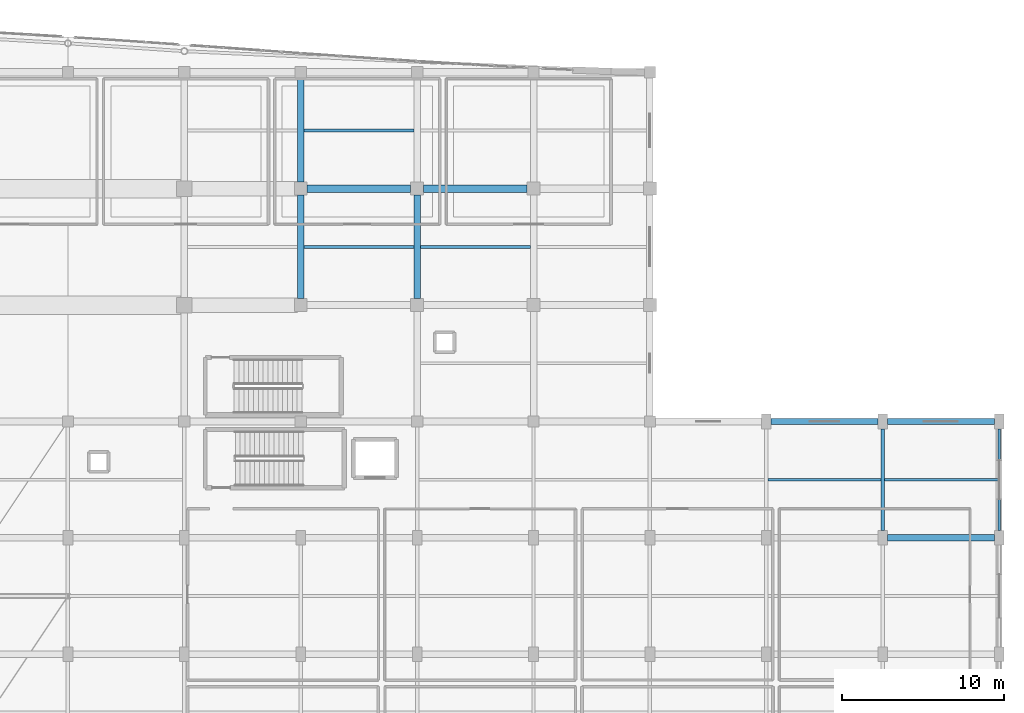
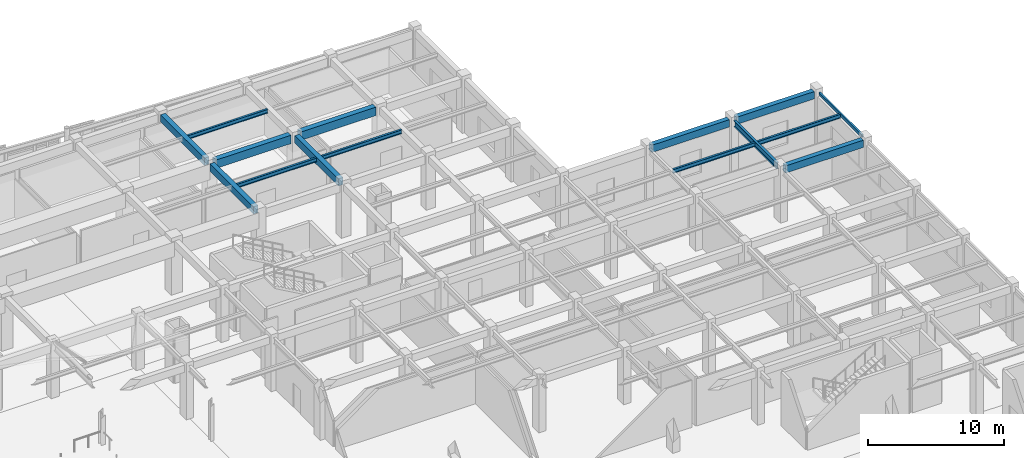
# One storey, part 60 of 117: 15 beams.
"""IFC4 building model written with IfcOpenShell, lengths in metres."""

import ifcopenshell
import ifcopenshell.guid

model = None  # the IFC model being written
_history = None  # IfcOwnerHistory: only IFC2X3 demands one
_inside = {}  # id of a spatial element -> (the spatial element, [elements in it])
_under = {}  # id of a project, library or spatial element -> (it, [spatial elements below it])
_declared = {}  # id of a project -> (the project, [libraries it declares])
_typed = {}  # id of a type object -> (the type object, [elements of that type])
_made_of = {}  # id of a material, layer set ... -> (it, [elements and type objects made of it])


def new_model(schema):
    """Start an empty IFC model of exactly this schema.

    Asked for "IFC4X3", IfcOpenShell would pick the latest addendum, in which some entities
    have other attributes; the version numbers below select the first issue.
    IFC2X3 requires an IfcOwnerHistory on every rooted entity: one is made here for all.
    """
    global model, _history
    if schema == "IFC4X3":
        model = ifcopenshell.file(schema_version=(4, 3, 0, 0))
    else:
        model = ifcopenshell.file(schema=schema)
    _inside.clear()
    _under.clear()
    _declared.clear()
    _typed.clear()
    _made_of.clear()
    _history = None
    if model.schema == "IFC2X3":
        org = make("IfcOrganization", Name="unknown")
        user = make(
            "IfcPersonAndOrganization",
            ThePerson=make("IfcPerson", FamilyName="unknown"),
            TheOrganization=org,
        )
        app = make(
            "IfcApplication",
            ApplicationDeveloper=org,
            Version="unknown",
            ApplicationFullName="unknown",
            ApplicationIdentifier="unknown",
        )
        _history = make(
            "IfcOwnerHistory",
            OwningUser=user,
            OwningApplication=app,
            ChangeAction="ADDED",
            CreationDate=0,
        )
    return model


def make(cls, **values):
    """One entity of the class cls with the attributes given. An attribute that is None is left unset."""
    return model.create_entity(
        cls, **{name: value for name, value in values.items() if value is not None}
    )


def rooted(cls, **values):
    """An entity with a GlobalId (a new one), such as an element, a storey or a relation."""
    return make(cls, GlobalId=ifcopenshell.guid.new(), OwnerHistory=_history, **values)


def si_unit(unit_type, name, prefix=None):
    """IfcSIUnit, for example si_unit("LENGTHUNIT", "METRE", prefix="MILLI")."""
    return make("IfcSIUnit", UnitType=unit_type, Prefix=prefix, Name=name)


def assignment(units):
    """IfcUnitAssignment: the units of a project."""
    return None if units is None else make("IfcUnitAssignment", Units=units)


def point(xyz):
    """IfcCartesianPoint."""
    return None if xyz is None else make("IfcCartesianPoint", Coordinates=xyz)


def direction(xyz):
    """IfcDirection."""
    return None if xyz is None else make("IfcDirection", DirectionRatios=xyz)


def frame(location, z_axis=None, x_axis=None):
    """IfcAxis2Placement3D, a coordinate frame: its origin and axes. An axis left out is left unset."""
    return make(
        "IfcAxis2Placement3D",
        Location=point(location),
        Axis=direction(z_axis),
        RefDirection=direction(x_axis),
    )


def frame_2d(location, x_axis=None):
    """IfcAxis2Placement2D, a coordinate frame in the plane: its origin and x axis."""
    return make(
        "IfcAxis2Placement2D", Location=point(location), RefDirection=direction(x_axis)
    )


def origin():
    """The frame at (0, 0, 0) with its axes left unset."""
    return frame((0.0, 0.0, 0.0))


def origin_2d():
    """The frame at (0, 0) in the plane with its x axis left unset."""
    return frame_2d((0.0, 0.0))


def place(relative_to, where):
    """IfcLocalPlacement: puts the frame where relative to a parent placement (None: the world)."""
    return make(
        "IfcLocalPlacement", PlacementRelTo=relative_to, RelativePlacement=where
    )


def context(
    kind, dimensions, precision=None, world=None, true_north=None, identifier=None
):
    """IfcGeometricRepresentationContext, for example the 3D "Model" context."""
    return make(
        "IfcGeometricRepresentationContext",
        ContextIdentifier=identifier,
        ContextType=kind,
        CoordinateSpaceDimension=dimensions,
        Precision=precision,
        WorldCoordinateSystem=world,
        TrueNorth=true_north,
    )


def subcontext(parent, identifier, kind, view, scale=None):
    """IfcGeometricRepresentationSubContext, for example "Body" below "Model"."""
    return make(
        "IfcGeometricRepresentationSubContext",
        ContextIdentifier=identifier,
        ContextType=kind,
        ParentContext=parent,
        TargetScale=scale,
        TargetView=view,
    )


def project(units=None, contexts=None):
    """IfcProject with its units and contexts."""
    return rooted(
        "IfcProject",
        Name="project",
        RepresentationContexts=contexts,
        UnitsInContext=assignment(units),
    )


def spatial(cls, under=None, at=None, **own):
    """A site, building, storey or space (cls), placed at a placement, below another one or the project."""
    s = rooted(cls, ObjectPlacement=at, **own)
    if under is not None:
        _under.setdefault(under.id(), (under, []))[1].append(s)
    return s


def profile(cls, at=None, kind="AREA", **sizes):
    """A parametric profile (cls). Its sizes go by their IFC names, for example OverallWidth=200.0."""
    return make(cls, ProfileType=kind, Position=at, **sizes)


def rectangle(**sizes):
    """IfcRectangleProfileDef."""
    return profile("IfcRectangleProfileDef", **sizes)


def hollow_rectangle(**sizes):
    """IfcRectangleHollowProfileDef."""
    return profile("IfcRectangleHollowProfileDef", **sizes)


def i_section(**sizes):
    """IfcIShapeProfileDef."""
    return profile("IfcIShapeProfileDef", **sizes)


def extrude(swept, where, along, depth):
    """IfcExtrudedAreaSolid: the profile swept, set in the frame where, extruded along a direction by depth."""
    return make(
        "IfcExtrudedAreaSolid",
        SweptArea=swept,
        Position=where,
        ExtrudedDirection=direction(along),
        Depth=depth,
    )


def shape(context_of_items, identifier, shape_type, items):
    """IfcShapeRepresentation: the items that make up one representation, for example the "Body"."""
    return make(
        "IfcShapeRepresentation",
        ContextOfItems=context_of_items,
        RepresentationIdentifier=identifier,
        RepresentationType=shape_type,
        Items=items,
    )


def material(Name=None, Category=None):
    """IfcMaterial."""
    return make("IfcMaterial", Name=Name, Category=Category)


def material_profile(
    of_material, cross_section, Name=None, Category=None, Priority=None
):
    """IfcMaterialProfile: a cross section and its material."""
    return make(
        "IfcMaterialProfile",
        Name=Name,
        Material=of_material,
        Profile=cross_section,
        Priority=Priority,
        Category=Category,
    )


def profile_set(profiles, Name=None, composite=None):
    """IfcMaterialProfileSet."""
    return make(
        "IfcMaterialProfileSet",
        Name=Name,
        MaterialProfiles=profiles,
        CompositeProfile=composite,
    )


def made_of(thing, what):
    """Note that an element or type object is made of a material, layer set ...; save() writes the relation."""
    if what is not None:
        _made_of.setdefault(what.id(), (what, []))[1].append(thing)
    return thing


def type_object(cls, material=None, **own):
    """A type object (cls), such as IfcWallType, which elements share."""
    return made_of(rooted(cls, **own), material)


def element(
    cls,
    number,
    at=None,
    inside=None,
    cuts=None,
    type_object=None,
    material=None,
    context=None,
    identifier="Body",
    shape_type=None,
    held_by="IfcProductDefinitionShape",
    body=None,
    shapes=None,
    **own,
):
    """One element of the class cls, such as IfcWall. Its Tag is "e" and its number.

    at: its placement. inside: the storey or other place that contains it. cuts: it is an
    opening in that element (IfcRelVoidsElement). A single representation is given by context,
    identifier, shape_type and body (its items); several are given by shapes. held_by: the class
    of the entity that holds the representations. save() writes the other relations.
    """
    e = rooted(cls, Tag="e%d" % number, ObjectPlacement=at, **own)
    if body is not None:
        shapes = [shape(context, identifier, shape_type, body)]
    if shapes is not None:
        e.Representation = make(held_by, Representations=shapes)
    if inside is not None:
        _inside.setdefault(inside.id(), (inside, []))[1].append(e)
    if cuts is not None:
        rooted(
            "IfcRelVoidsElement", RelatingBuildingElement=cuts, RelatedOpeningElement=e
        )
    if type_object is not None:
        _typed.setdefault(type_object.id(), (type_object, []))[1].append(e)
    return made_of(e, material)


def aggregate(whole, parts):
    """IfcRelAggregates: a whole, such as a stair, and the parts it consists of."""
    return rooted("IfcRelAggregates", RelatingObject=whole, RelatedObjects=parts)


def save(model, path):
    """Write the relations noted so far, then the file.

    IfcRelAggregates (storeys below a building ...), IfcRelContainedInSpatialStructure (elements
    in a storey), IfcRelDefinesByType, IfcRelAssociatesMaterial and IfcRelDeclares: one each for
    every whole, place, type object, material and project.
    """
    for whole, parts in _under.values():
        aggregate(whole, parts)
    for where, things in _inside.values():
        rooted(
            "IfcRelContainedInSpatialStructure",
            RelatedElements=things,
            RelatingStructure=where,
        )
    for kind, things in _typed.values():
        rooted("IfcRelDefinesByType", RelatedObjects=things, RelatingType=kind)
    for what, things in _made_of.values():
        rooted("IfcRelAssociatesMaterial", RelatedObjects=things, RelatingMaterial=what)
    for by, libraries in _declared.values():
        rooted("IfcRelDeclares", RelatingContext=by, RelatedDefinitions=libraries)
    model.write(path)


model = new_model("IFC4")

# Units and contexts
model_context = context("Model", 3, precision=1e-05, world=origin(), true_north=direction((0.0, 1.0)))
body_context = subcontext(model_context, "Body", "Model", "MODEL_VIEW")
ifc_project = project(units=[si_unit("LENGTHUNIT", "METRE"), si_unit("AREAUNIT", "SQUARE_METRE"), si_unit("VOLUMEUNIT", "CUBIC_METRE"), si_unit("PLANEANGLEUNIT", "RADIAN"), si_unit("MASSUNIT", "GRAM", prefix="KILO")], contexts=[model_context])

# Site, building, storey
site_placement = place(None, origin())
site = spatial("IfcSite", under=ifc_project, at=site_placement, CompositionType="ELEMENT")
building_placement = place(site_placement, origin())
building = spatial("IfcBuilding", under=site, at=building_placement, Name="Carrowvane Square Congress Hotel", CompositionType="ELEMENT")
storey_placement = place(building_placement, frame((0.0, 0.0, 5.39990234375)))
storey = spatial("IfcBuildingStorey", under=building, at=storey_placement, Name="L01", CompositionType="ELEMENT", Elevation=5.39990234375)

# Beams
ifc_material_1 = material(Name="Concrete C35/45", Category="concrete")
ifc_material_profile_1 = material_profile(ifc_material_1, rectangle(XDim=0.39990234375, YDim=0.64990234375, at=origin_2d()), Name="RC 400x650")
ifc_profile_set_1 = profile_set([ifc_material_profile_1], Name="Concrete C35/45")
beam_type_1 = type_object("IfcBeamType", Name="BM-RC-400x650", PredefinedType="BEAM", material=ifc_profile_set_1)
beam_1_placement = place(storey_placement, frame((177.5, 84.60009765625, 4.455078125), z_axis=(1.0, 0.0, 0.0), x_axis=(0.0, 1.0, 0.0)))
element("IfcBeam", 1, at=beam_1_placement, inside=storey, type_object=beam_type_1, Name="L02 girder M/24-25", PredefinedType="BEAM", context=body_context, shape_type="SweptSolid", body=[
    extrude(rectangle(XDim=0.39990234375, YDim=0.64990234375, at=origin_2d()), origin(), (0.0, 0.0, 1.0), 6.60009765625),
])
beam_2_placement = place(storey_placement, frame((170.300048828125, 91.800048828125, 4.455078125), z_axis=(1.0, 0.0, 0.0), x_axis=(0.0, 1.0, 0.0)))
element("IfcBeam", 2, at=beam_2_placement, inside=storey, type_object=beam_type_1, Name="L02 girder N/23-24", PredefinedType="BEAM", context=body_context, shape_type="SweptSolid", body=[
    extrude(rectangle(XDim=0.39990234375, YDim=0.64990234375, at=origin_2d()), origin(), (0.0, 0.0, 1.0), 6.599853515625),
])
beam_3_placement = place(storey_placement, frame((177.5, 91.800048828125, 4.455078125), z_axis=(1.0, 0.0, 0.0), x_axis=(0.0, 1.0, 0.0)))
element("IfcBeam", 3, at=beam_3_placement, inside=storey, type_object=beam_type_1, Name="L02 girder N/24-25", PredefinedType="BEAM", context=body_context, shape_type="SweptSolid", body=[
    extrude(rectangle(XDim=0.39990234375, YDim=0.64990234375, at=origin_2d()), origin(), (0.0, 0.0, 1.0), 6.60009765625),
])
beam_4_placement = place(storey_placement, frame((141.199951171875, 99.39990234375, 4.455078125), z_axis=(0.0, 1.0, 0.0), x_axis=(-1.0, 0.0, 0.0)))
element("IfcBeam", 4, at=beam_4_placement, inside=storey, type_object=beam_type_1, Name="L02 girder 19/P-Q", PredefinedType="BEAM", context=body_context, shape_type="SweptSolid", body=[
    extrude(rectangle(XDim=0.39990234375, YDim=0.64990234375, at=origin_2d()), origin(), (0.0, 0.0, 1.0), 6.400146484375),
])
beam_5_placement = place(storey_placement, frame((141.199951171875, 106.60009765625, 4.455078125), z_axis=(0.0, 1.0, 0.0), x_axis=(-1.0, 0.0, 0.0)))
element("IfcBeam", 5, at=beam_5_placement, inside=storey, type_object=beam_type_1, Name="L02 girder 19/Q-R", PredefinedType="BEAM", context=body_context, shape_type="SweptSolid", body=[
    extrude(rectangle(XDim=0.39990234375, YDim=0.64990234375, at=origin_2d()), origin(), (0.0, 0.0, 1.0), 6.449951171875),
])
beam_6_placement = place(storey_placement, frame((148.39990234375, 99.39990234375, 4.455078125), z_axis=(0.0, 1.0, 0.0), x_axis=(-1.0, 0.0, 0.0)))
element("IfcBeam", 6, at=beam_6_placement, inside=storey, type_object=beam_type_1, Name="L02 girder 20/P-Q", PredefinedType="BEAM", context=body_context, shape_type="SweptSolid", body=[
    extrude(rectangle(XDim=0.39990234375, YDim=0.64990234375, at=origin_2d()), origin(), (0.0, 0.0, 1.0), 6.400146484375),
])
ifc_material_2 = material(Name="Concrete C35/45", Category="concrete")
ifc_material_profile_2 = material_profile(ifc_material_2, rectangle(XDim=0.449951171875, YDim=0.75, at=origin_2d()), Name="RC 450x750")
ifc_profile_set_2 = profile_set([ifc_material_profile_2], Name="Concrete C35/45")
beam_type_2 = type_object("IfcBeamType", Name="BM-RC-450x750", PredefinedType="USERDEFINED", material=ifc_profile_set_2)
for number, where, z_axis, x_axis, name in (
    (7, (141.60009765625, 106.199951171875, 4.405029296875), (1.0, 0.0, 0.0), (0.0, 1.0, 0.0), "L02 girder Q/19-20"),
    (8, (148.800048828125, 106.199951171875, 4.405029296875), (1.0, 0.0, 0.0), (0.0, 1.0, 0.0), "L02 girder Q/20-21"),
):
    element("IfcBeam", number, at=place(storey_placement, frame(where, z_axis=z_axis, x_axis=x_axis)), inside=storey, type_object=beam_type_2, Name=name, ObjectType="GIRDER", PredefinedType="USERDEFINED", context=body_context, shape_type="SweptSolid", body=[
        extrude(rectangle(XDim=0.449951171875, YDim=0.75, at=origin_2d()), origin(), (0.0, 0.0, 1.0), 6.39990234375),
    ])
ifc_material_3 = material(Name="Steel S355", Category="steel")
ifc_material_profile_3 = material_profile(ifc_material_3, hollow_rectangle(XDim=0.14990234375, YDim=0.25, WallThickness=0.012451171875, at=origin_2d()), Name="RHS 250x150x12.5")
ifc_profile_set_3 = profile_set([ifc_material_profile_3], Name="Steel S355")
beam_type_3 = type_object("IfcBeamType", Name="BM-ST-RHS250", PredefinedType="SPANDREL", material=ifc_profile_set_3)
beam_7_placement = place(storey_placement, frame((184.39990234375, 85.050048828125, 4.655029296875), z_axis=(0.0, 1.0, 0.0), x_axis=(-1.0, 0.0, 0.0)))
element("IfcBeam", 9, at=beam_7_placement, inside=storey, type_object=beam_type_3, Name="L02 girder 25/M-N", PredefinedType="SPANDREL", context=body_context, shape_type="SweptSolid", body=[
    extrude(hollow_rectangle(XDim=0.14990234375, YDim=0.25, WallThickness=0.012451171875, at=origin_2d()), origin(), (0.0, 0.0, 1.0), 6.300048828125),
])
ifc_material_4 = material(Name="Steel S355", Category="steel")
ifc_material_profile_4 = material_profile(ifc_material_4, i_section(OverallWidth=0.172119140625, OverallDepth=0.35791015625, WebThickness=0.008056640625, FlangeThickness=0.012939453125, FilletRadius=0.01025390625, at=origin_2d()), Name="UKB 356x171x57")
ifc_profile_set_4 = profile_set([ifc_material_profile_4], Name="Steel S355")
beam_type_4 = type_object("IfcBeamType", Name="BM-ST-UKB356", PredefinedType="JOIST", material=ifc_profile_set_4)
for number, where, z_axis, x_axis, name in (
    (10, (141.39990234375, 102.60009765625, 4.60107421875), (1.0, 0.0, 0.0), (0.0, 1.0, 0.0), "L02 secondary joist 19-20"),
    (11, (141.39990234375, 109.800048828125, 4.60107421875), (1.0, 0.0, 0.0), (0.0, 1.0, 0.0), "L02 secondary joist 19-20"),
):
    element("IfcBeam", number, at=place(storey_placement, frame(where, z_axis=z_axis, x_axis=x_axis)), inside=storey, type_object=beam_type_4, Name=name, PredefinedType="JOIST", context=body_context, shape_type="SweptSolid", body=[
        extrude(i_section(OverallWidth=0.172119140625, OverallDepth=0.35791015625, WebThickness=0.008056640625, FlangeThickness=0.012939453125, FilletRadius=0.01025390625, at=origin_2d()), origin(), (0.0, 0.0, 1.0), 6.800048828125),
    ])
beam_8_placement = place(storey_placement, frame((148.60009765625, 102.60009765625, 4.60107421875), z_axis=(1.0, 0.0, 0.0), x_axis=(0.0, 1.0, 0.0)))
element("IfcBeam", 12, at=beam_8_placement, inside=storey, type_object=beam_type_4, Name="L02 secondary joist 20-21", PredefinedType="JOIST", context=body_context, shape_type="SweptSolid", body=[
    extrude(i_section(OverallWidth=0.172119140625, OverallDepth=0.35791015625, WebThickness=0.008056640625, FlangeThickness=0.012939453125, FilletRadius=0.01025390625, at=origin_2d()), origin(), (0.0, 0.0, 1.0), 6.7998046875),
])
beam_9_placement = place(storey_placement, frame((170.10498046875, 88.199951171875, 4.60107421875), z_axis=(1.0, 0.0, 0.0), x_axis=(0.0, 1.0, 0.0)))
element("IfcBeam", 13, at=beam_9_placement, inside=storey, type_object=beam_type_4, Name="L02 secondary joist 23-24", PredefinedType="JOIST", context=body_context, shape_type="SweptSolid", body=[
    extrude(i_section(OverallWidth=0.172119140625, OverallDepth=0.35791015625, WebThickness=0.008056640625, FlangeThickness=0.012939453125, FilletRadius=0.01025390625, at=origin_2d()), origin(), (0.0, 0.0, 1.0), 6.989990234375),
])
beam_10_placement = place(storey_placement, frame((177.304931640625, 88.199951171875, 4.60107421875), z_axis=(1.0, 0.0, 0.0), x_axis=(0.0, 1.0, 0.0)))
element("IfcBeam", 14, at=beam_10_placement, inside=storey, type_object=beam_type_4, Name="L02 secondary joist 24-25", PredefinedType="JOIST", context=body_context, shape_type="SweptSolid", body=[
    extrude(i_section(OverallWidth=0.172119140625, OverallDepth=0.35791015625, WebThickness=0.008056640625, FlangeThickness=0.012939453125, FilletRadius=0.01025390625, at=origin_2d()), origin(), (0.0, 0.0, 1.0), 7.02001953125),
])
ifc_material_5 = material(Name="Steel S355", Category="steel")
ifc_material_profile_5 = material_profile(ifc_material_5, i_section(OverallWidth=0.2099609375, OverallDepth=0.53662109375, WebThickness=0.0107421875, FlangeThickness=0.017333984375, FilletRadius=0.0126953125, at=origin_2d()), Name="UKB 533x210x101")
ifc_profile_set_5 = profile_set([ifc_material_profile_5], Name="Steel S355")
beam_type_5 = type_object("IfcBeamType", Name="BM-ST-UKB533", PredefinedType="USERDEFINED", material=ifc_profile_set_5)
beam_11_placement = place(storey_placement, frame((177.199951171875, 85.050048828125, 4.51171875), z_axis=(0.0, 1.0, 0.0), x_axis=(-1.0, 0.0, 0.0)))
element("IfcBeam", 15, at=beam_11_placement, inside=storey, type_object=beam_type_5, Name="L02 girder 24/M-N", ObjectType="GIRDER", PredefinedType="USERDEFINED", context=body_context, shape_type="SweptSolid", body=[
    extrude(i_section(OverallWidth=0.2099609375, OverallDepth=0.53662109375, WebThickness=0.0107421875, FlangeThickness=0.017333984375, FilletRadius=0.0126953125, at=origin_2d()), origin(), (0.0, 0.0, 1.0), 6.300048828125),
])

save(model, "model.ifc")
